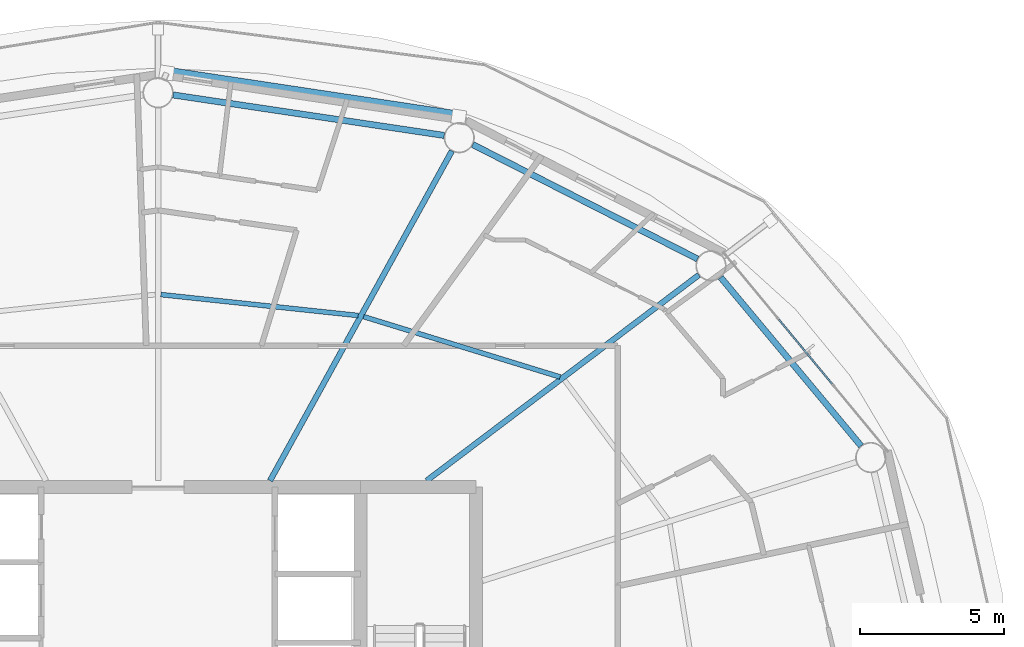
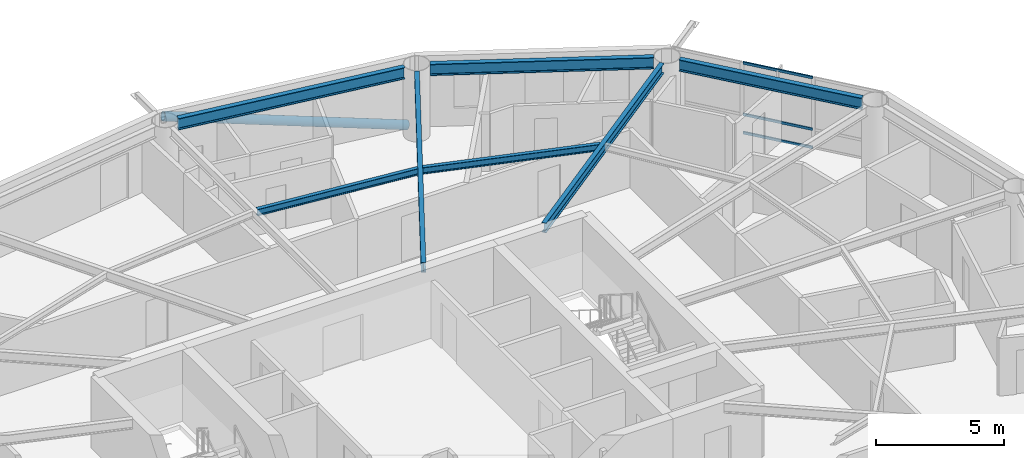
# One storey, part 14 of 30: 7 beams, 4 members, 1 element without a shape of its own.
"""IFC4 building model written with IfcOpenShell, lengths in metres."""

import ifcopenshell
import ifcopenshell.guid

model = None  # the IFC model being written
_history = None  # IfcOwnerHistory: only IFC2X3 demands one
_inside = {}  # id of a spatial element -> (the spatial element, [elements in it])
_under = {}  # id of a project, library or spatial element -> (it, [spatial elements below it])
_declared = {}  # id of a project -> (the project, [libraries it declares])
_typed = {}  # id of a type object -> (the type object, [elements of that type])
_made_of = {}  # id of a material, layer set ... -> (it, [elements and type objects made of it])


def new_model(schema):
    """Start an empty IFC model of exactly this schema.

    Asked for "IFC4X3", IfcOpenShell would pick the latest addendum, in which some entities
    have other attributes; the version numbers below select the first issue.
    IFC2X3 requires an IfcOwnerHistory on every rooted entity: one is made here for all.
    """
    global model, _history
    if schema == "IFC4X3":
        model = ifcopenshell.file(schema_version=(4, 3, 0, 0))
    else:
        model = ifcopenshell.file(schema=schema)
    _inside.clear()
    _under.clear()
    _declared.clear()
    _typed.clear()
    _made_of.clear()
    _history = None
    if model.schema == "IFC2X3":
        org = make("IfcOrganization", Name="unknown")
        user = make(
            "IfcPersonAndOrganization",
            ThePerson=make("IfcPerson", FamilyName="unknown"),
            TheOrganization=org,
        )
        app = make(
            "IfcApplication",
            ApplicationDeveloper=org,
            Version="unknown",
            ApplicationFullName="unknown",
            ApplicationIdentifier="unknown",
        )
        _history = make(
            "IfcOwnerHistory",
            OwningUser=user,
            OwningApplication=app,
            ChangeAction="ADDED",
            CreationDate=0,
        )
    return model


def make(cls, **values):
    """One entity of the class cls with the attributes given. An attribute that is None is left unset."""
    return model.create_entity(
        cls, **{name: value for name, value in values.items() if value is not None}
    )


def rooted(cls, **values):
    """An entity with a GlobalId (a new one), such as an element, a storey or a relation."""
    return make(cls, GlobalId=ifcopenshell.guid.new(), OwnerHistory=_history, **values)


def si_unit(unit_type, name, prefix=None):
    """IfcSIUnit, for example si_unit("LENGTHUNIT", "METRE", prefix="MILLI")."""
    return make("IfcSIUnit", UnitType=unit_type, Prefix=prefix, Name=name)


def assignment(units):
    """IfcUnitAssignment: the units of a project."""
    return None if units is None else make("IfcUnitAssignment", Units=units)


def point(xyz):
    """IfcCartesianPoint."""
    return None if xyz is None else make("IfcCartesianPoint", Coordinates=xyz)


def direction(xyz):
    """IfcDirection."""
    return None if xyz is None else make("IfcDirection", DirectionRatios=xyz)


def frame(location, z_axis=None, x_axis=None):
    """IfcAxis2Placement3D, a coordinate frame: its origin and axes. An axis left out is left unset."""
    return make(
        "IfcAxis2Placement3D",
        Location=point(location),
        Axis=direction(z_axis),
        RefDirection=direction(x_axis),
    )


def frame_2d(location, x_axis=None):
    """IfcAxis2Placement2D, a coordinate frame in the plane: its origin and x axis."""
    return make(
        "IfcAxis2Placement2D", Location=point(location), RefDirection=direction(x_axis)
    )


def origin():
    """The frame at (0, 0, 0) with its axes left unset."""
    return frame((0.0, 0.0, 0.0))


def origin_2d():
    """The frame at (0, 0) in the plane with its x axis left unset."""
    return frame_2d((0.0, 0.0))


def place(relative_to, where):
    """IfcLocalPlacement: puts the frame where relative to a parent placement (None: the world)."""
    return make(
        "IfcLocalPlacement", PlacementRelTo=relative_to, RelativePlacement=where
    )


def context(
    kind, dimensions, precision=None, world=None, true_north=None, identifier=None
):
    """IfcGeometricRepresentationContext, for example the 3D "Model" context."""
    return make(
        "IfcGeometricRepresentationContext",
        ContextIdentifier=identifier,
        ContextType=kind,
        CoordinateSpaceDimension=dimensions,
        Precision=precision,
        WorldCoordinateSystem=world,
        TrueNorth=true_north,
    )


def subcontext(parent, identifier, kind, view, scale=None):
    """IfcGeometricRepresentationSubContext, for example "Body" below "Model"."""
    return make(
        "IfcGeometricRepresentationSubContext",
        ContextIdentifier=identifier,
        ContextType=kind,
        ParentContext=parent,
        TargetScale=scale,
        TargetView=view,
    )


def project(units=None, contexts=None):
    """IfcProject with its units and contexts."""
    return rooted(
        "IfcProject",
        Name="project",
        RepresentationContexts=contexts,
        UnitsInContext=assignment(units),
    )


def spatial(cls, under=None, at=None, **own):
    """A site, building, storey or space (cls), placed at a placement, below another one or the project."""
    s = rooted(cls, ObjectPlacement=at, **own)
    if under is not None:
        _under.setdefault(under.id(), (under, []))[1].append(s)
    return s


def profile(cls, at=None, kind="AREA", **sizes):
    """A parametric profile (cls). Its sizes go by their IFC names, for example OverallWidth=200.0."""
    return make(cls, ProfileType=kind, Position=at, **sizes)


def hollow_rectangle(**sizes):
    """IfcRectangleHollowProfileDef."""
    return profile("IfcRectangleHollowProfileDef", **sizes)


def hollow_circle(**sizes):
    """IfcCircleHollowProfileDef."""
    return profile("IfcCircleHollowProfileDef", **sizes)


def i_section(**sizes):
    """IfcIShapeProfileDef."""
    return profile("IfcIShapeProfileDef", **sizes)


def extrude(swept, where, along, depth):
    """IfcExtrudedAreaSolid: the profile swept, set in the frame where, extruded along a direction by depth."""
    return make(
        "IfcExtrudedAreaSolid",
        SweptArea=swept,
        Position=where,
        ExtrudedDirection=direction(along),
        Depth=depth,
    )


def shape(context_of_items, identifier, shape_type, items):
    """IfcShapeRepresentation: the items that make up one representation, for example the "Body"."""
    return make(
        "IfcShapeRepresentation",
        ContextOfItems=context_of_items,
        RepresentationIdentifier=identifier,
        RepresentationType=shape_type,
        Items=items,
    )


def material(Name=None, Category=None):
    """IfcMaterial."""
    return make("IfcMaterial", Name=Name, Category=Category)


def layer(
    of_material, thickness, ventilated=None, Name=None, Category=None, Priority=None
):
    """IfcMaterialLayer: one layer of a wall or slab, of a material (None: an air gap)."""
    return make(
        "IfcMaterialLayer",
        Material=of_material,
        LayerThickness=thickness,
        IsVentilated=ventilated,
        Name=Name,
        Category=Category,
        Priority=Priority,
    )


def layer_set(layers, Name=None):
    """IfcMaterialLayerSet."""
    return make("IfcMaterialLayerSet", MaterialLayers=layers, LayerSetName=Name)


def material_profile(
    of_material, cross_section, Name=None, Category=None, Priority=None
):
    """IfcMaterialProfile: a cross section and its material."""
    return make(
        "IfcMaterialProfile",
        Name=Name,
        Material=of_material,
        Profile=cross_section,
        Priority=Priority,
        Category=Category,
    )


def profile_set(profiles, Name=None, composite=None):
    """IfcMaterialProfileSet."""
    return make(
        "IfcMaterialProfileSet",
        Name=Name,
        MaterialProfiles=profiles,
        CompositeProfile=composite,
    )


def made_of(thing, what):
    """Note that an element or type object is made of a material, layer set ...; save() writes the relation."""
    if what is not None:
        _made_of.setdefault(what.id(), (what, []))[1].append(thing)
    return thing


def type_object(cls, material=None, **own):
    """A type object (cls), such as IfcWallType, which elements share."""
    return made_of(rooted(cls, **own), material)


def element(
    cls,
    number,
    at=None,
    inside=None,
    cuts=None,
    type_object=None,
    material=None,
    context=None,
    identifier="Body",
    shape_type=None,
    held_by="IfcProductDefinitionShape",
    body=None,
    shapes=None,
    **own,
):
    """One element of the class cls, such as IfcWall. Its Tag is "e" and its number.

    at: its placement. inside: the storey or other place that contains it. cuts: it is an
    opening in that element (IfcRelVoidsElement). A single representation is given by context,
    identifier, shape_type and body (its items); several are given by shapes. held_by: the class
    of the entity that holds the representations. save() writes the other relations.
    """
    e = rooted(cls, Tag="e%d" % number, ObjectPlacement=at, **own)
    if body is not None:
        shapes = [shape(context, identifier, shape_type, body)]
    if shapes is not None:
        e.Representation = make(held_by, Representations=shapes)
    if inside is not None:
        _inside.setdefault(inside.id(), (inside, []))[1].append(e)
    if cuts is not None:
        rooted(
            "IfcRelVoidsElement", RelatingBuildingElement=cuts, RelatedOpeningElement=e
        )
    if type_object is not None:
        _typed.setdefault(type_object.id(), (type_object, []))[1].append(e)
    return made_of(e, material)


def aggregate(whole, parts):
    """IfcRelAggregates: a whole, such as a stair, and the parts it consists of."""
    return rooted("IfcRelAggregates", RelatingObject=whole, RelatedObjects=parts)


def save(model, path):
    """Write the relations noted so far, then the file.

    IfcRelAggregates (storeys below a building ...), IfcRelContainedInSpatialStructure (elements
    in a storey), IfcRelDefinesByType, IfcRelAssociatesMaterial and IfcRelDeclares: one each for
    every whole, place, type object, material and project.
    """
    for whole, parts in _under.values():
        aggregate(whole, parts)
    for where, things in _inside.values():
        rooted(
            "IfcRelContainedInSpatialStructure",
            RelatedElements=things,
            RelatingStructure=where,
        )
    for kind, things in _typed.values():
        rooted("IfcRelDefinesByType", RelatedObjects=things, RelatingType=kind)
    for what, things in _made_of.values():
        rooted("IfcRelAssociatesMaterial", RelatedObjects=things, RelatingMaterial=what)
    for by, libraries in _declared.values():
        rooted("IfcRelDeclares", RelatingContext=by, RelatedDefinitions=libraries)
    model.write(path)


model = new_model("IFC4")

# Units and contexts
model_context = context("Model", 3, precision=1e-05, world=origin(), true_north=direction((0.0, 1.0)))
body_context = subcontext(model_context, "Body", "Model", "MODEL_VIEW")
ifc_project = project(units=[si_unit("LENGTHUNIT", "METRE"), si_unit("AREAUNIT", "SQUARE_METRE"), si_unit("VOLUMEUNIT", "CUBIC_METRE"), si_unit("PLANEANGLEUNIT", "RADIAN"), si_unit("MASSUNIT", "GRAM", prefix="KILO")], contexts=[model_context])

# Site, building, storey
site_placement = place(None, origin())
site = spatial("IfcSite", under=ifc_project, at=site_placement, CompositionType="ELEMENT")
building_placement = place(site_placement, origin())
building = spatial("IfcBuilding", under=site, at=building_placement, Name="Sarneth Arch Tower", CompositionType="ELEMENT")
storey_placement = place(building_placement, frame((0.0, 0.0, 161.39990234375)))
storey = spatial("IfcBuildingStorey", under=building, at=storey_placement, Name="L40", CompositionType="ELEMENT", Elevation=161.39990234375)

# Beams
ifc_material_1 = material(Name="Steel S355", Category="steel")
ifc_material_profile_1 = material_profile(ifc_material_1, i_section(OverallWidth=0.1669921875, OverallDepth=0.31689453125, WebThickness=0.007568359375, FlangeThickness=0.01318359375, FilletRadius=0.012939453125, at=origin_2d()), Name="W310x52")
ifc_profile_set_1 = profile_set([ifc_material_profile_1], Name="Steel S355")
beam_type_1 = type_object("IfcBeamType", Name="BM-JOIST-310B", PredefinedType="JOIST", material=ifc_profile_set_1)
beam_1_placement = place(storey_placement, frame((61.912841796875, 52.61279296875, 3.2216796875), z_axis=(-0.955929549608, 0.293596144707, 0.0), x_axis=(-0.293596144707, -0.955929549608, 0.0)))
element("IfcBeam", 1, at=beam_1_placement, inside=storey, type_object=beam_type_1, Name="L40 Secondary floor joist 03", PredefinedType="JOIST", context=body_context, shape_type="SweptSolid", body=[
    extrude(i_section(OverallWidth=0.1669921875, OverallDepth=0.31689453125, WebThickness=0.007568359375, FlangeThickness=0.01318359375, FilletRadius=0.012939453125, at=origin_2d()), origin(), (0.0, 0.0, 1.0), 7.1123046875),
])
beam_2_placement = place(storey_placement, frame((54.92578125, 54.739501953125, 3.2216796875), z_axis=(-0.994407831942, 0.105608066799, 0.0), x_axis=(-0.105608066799, -0.994407831942, 0.0)))
element("IfcBeam", 2, at=beam_2_placement, inside=storey, type_object=beam_type_1, Name="L40 Secondary floor joist 04", PredefinedType="JOIST", context=body_context, shape_type="SweptSolid", body=[
    extrude(i_section(OverallWidth=0.1669921875, OverallDepth=0.31689453125, WebThickness=0.007568359375, FlangeThickness=0.01318359375, FilletRadius=0.012939453125, at=origin_2d()), origin(), (0.0, 0.0, 1.0), 6.8681640625),
])
ifc_material_2 = material(Name="Steel S355", Category="steel")
ifc_material_profile_2 = material_profile(ifc_material_2, i_section(OverallWidth=0.193115234375, OverallDepth=0.466064453125, WebThickness=0.011474609375, FlangeThickness=0.01904296875, FilletRadius=0.01806640625, at=origin_2d()), Name="W460x97")
ifc_profile_set_2 = profile_set([ifc_material_profile_2], Name="Steel S355")
beam_type_2 = type_object("IfcBeamType", Name="BM-RAD-460C", PredefinedType="BEAM", material=ifc_profile_set_2)
beam_3_placement = place(storey_placement, frame((57.29541015625, 49.02490234375, 3.147216796875), z_axis=(0.797786205076, 0.602940437349, 0.0), x_axis=(-0.602940437349, 0.797786205076, 0.0)))
element("IfcBeam", 3, at=beam_3_placement, inside=storey, type_object=beam_type_2, Name="L40 Radial floor girder 03", PredefinedType="BEAM", context=body_context, shape_type="SweptSolid", body=[
    extrude(i_section(OverallWidth=0.193115234375, OverallDepth=0.466064453125, WebThickness=0.011474609375, FlangeThickness=0.01904296875, FilletRadius=0.01806640625, at=origin_2d()), origin(), (0.0, 0.0, 1.0), 11.806884765625),
])
beam_4_placement = place(storey_placement, frame((51.875, 49.02490234375, 3.147216796875), z_axis=(0.483004525121, 0.87561785541, 0.0), x_axis=(-0.87561785541, 0.483004525121, 0.0)))
element("IfcBeam", 4, at=beam_4_placement, inside=storey, type_object=beam_type_2, Name="L40 Radial floor girder 04", PredefinedType="BEAM", context=body_context, shape_type="SweptSolid", body=[
    extrude(i_section(OverallWidth=0.193115234375, OverallDepth=0.466064453125, WebThickness=0.011474609375, FlangeThickness=0.01904296875, FilletRadius=0.01806640625, at=origin_2d()), origin(), (0.0, 0.0, 1.0), 13.029296875),
])
ifc_material_3 = material(Name="Steel S355", Category="steel")
ifc_material_profile_3 = material_profile(ifc_material_3, i_section(OverallWidth=0.214111328125, OverallDepth=0.549072265625, WebThickness=0.0146484375, FlangeThickness=0.023681640625, FilletRadius=0.01806640625, at=origin_2d()), Name="W530x138")
ifc_profile_set_3 = profile_set([ifc_material_profile_3], Name="Steel S355")
beam_type_3 = type_object("IfcBeamType", Name="BM-RAD-530A", PredefinedType="BEAM", material=ifc_profile_set_3)
beam_5_placement = place(storey_placement, frame((72.326171875, 50.229248046875, 3.105712890625), z_axis=(-0.640171737024, 0.768231831621, 0.0), x_axis=(-0.768231831621, -0.640171737024, 0.0)))
element("IfcBeam", 5, at=beam_5_placement, inside=storey, type_object=beam_type_3, Name="L40 Perimeter spandrel beam 02", PredefinedType="BEAM", context=body_context, shape_type="SweptSolid", body=[
    extrude(i_section(OverallWidth=0.214111328125, OverallDepth=0.549072265625, WebThickness=0.0146484375, FlangeThickness=0.023681640625, FilletRadius=0.01806640625, at=origin_2d()), origin(), (0.0, 0.0, 1.0), 7.585693359375),
])
beam_6_placement = place(storey_placement, frame((66.665771484375, 56.698486328125, 3.105712890625), z_axis=(-0.891254220899, 0.453504039374, 0.0), x_axis=(-0.453504039374, -0.891254220899, 0.0)))
element("IfcBeam", 6, at=beam_6_placement, inside=storey, type_object=beam_type_3, Name="L40 Perimeter spandrel beam 03", PredefinedType="BEAM", context=body_context, shape_type="SweptSolid", body=[
    extrude(i_section(OverallWidth=0.214111328125, OverallDepth=0.549072265625, WebThickness=0.0146484375, FlangeThickness=0.023681640625, FilletRadius=0.01806640625, at=origin_2d()), origin(), (0.0, 0.0, 1.0), 8.724853515625),
])
beam_7_placement = place(storey_placement, frame((57.902587890625, 60.970947265625, 3.105712890625), z_axis=(-0.989027145133, 0.14773390332, 0.0), x_axis=(-0.14773390332, -0.989027145133, 0.0)))
element("IfcBeam", 7, at=beam_7_placement, inside=storey, type_object=beam_type_3, Name="L40 Perimeter spandrel beam 04", PredefinedType="BEAM", context=body_context, shape_type="SweptSolid", body=[
    extrude(i_section(OverallWidth=0.214111328125, OverallDepth=0.549072265625, WebThickness=0.0146484375, FlangeThickness=0.023681640625, FilletRadius=0.01806640625, at=origin_2d()), origin(), (0.0, 0.0, 1.0), 9.4873046875),
])

# Curtain wall, members
ifc_material_4 = material(Name="Anodised aluminium Type AA25 and solar-control low-e laminated IGU", Category="aluminium")
ifc_layer = layer(ifc_material_4, 0.169921875)
ifc_layer_set = layer_set([ifc_layer], Name="Anodised aluminium Type AA25 and solar-control low-e laminated IGU")
curtain_wall_type = type_object("IfcCurtainWallType", Name="CW-RES-MID", PredefinedType="NOTDEFINED", material=ifc_layer_set)
curtain_wall_placement = place(storey_placement, origin())
curtain_wall = element("IfcCurtainWall", 8, at=curtain_wall_placement, inside=storey, type_object=curtain_wall_type, Name="L40 Unitised curtain wall facet 02", PredefinedType="NOTDEFINED")
ifc_material_5 = material(Name="Anodised Aluminium 6063-T6", Category="aluminium")
ifc_material_profile_4 = material_profile(ifc_material_5, hollow_rectangle(XDim=0.06005859375, YDim=0.1201171875, WallThickness=0.00390625, at=origin_2d()), Name="AL-TRAN-120x60x4")
ifc_profile_set_4 = profile_set([ifc_material_profile_4], Name="Anodised Aluminium 6063-T6")
member_type_1 = type_object("IfcMemberType", Name="CW-TRANSOM", PredefinedType="USERDEFINED", material=ifc_profile_set_4)
member_1_placement = place(storey_placement, frame((71.327880859375, 52.36962890625, 0.030029296875), z_axis=(-0.637329777791, 0.770591171985, 0.0), x_axis=(-0.770591171985, -0.637329777791, 0.0)))
member_1 = element("IfcMember", 9, at=member_1_placement, type_object=member_type_1, Name="CW-SYS-5 transom 2.1", ObjectType="TRANSOM", PredefinedType="USERDEFINED", context=body_context, shape_type="SweptSolid", body=[
    extrude(hollow_rectangle(XDim=0.06005859375, YDim=0.1201171875, WallThickness=0.00390625, at=origin_2d()), origin(), (0.0, 0.0, 1.0), 2.898193359375),
])
member_2_placement = place(storey_placement, frame((71.327880859375, 52.36962890625, 0.900146484375), z_axis=(-0.637329777791, 0.770591171985, 0.0), x_axis=(-0.770591171985, -0.637329777791, 0.0)))
member_2 = element("IfcMember", 10, at=member_2_placement, type_object=member_type_1, Name="CW-SYS-5 transom 2.2", ObjectType="TRANSOM", PredefinedType="USERDEFINED", context=body_context, shape_type="SweptSolid", body=[
    extrude(hollow_rectangle(XDim=0.06005859375, YDim=0.1201171875, WallThickness=0.00390625, at=origin_2d()), origin(), (0.0, 0.0, 1.0), 2.898193359375),
])
member_3_placement = place(storey_placement, frame((71.327880859375, 52.36962890625, 3.35009765625), z_axis=(-0.637329777791, 0.770591171985, 0.0), x_axis=(-0.770591171985, -0.637329777791, 0.0)))
member_3 = element("IfcMember", 11, at=member_3_placement, type_object=member_type_1, Name="CW-SYS-5 transom 2.3", ObjectType="TRANSOM", PredefinedType="USERDEFINED", context=body_context, shape_type="SweptSolid", body=[
    extrude(hollow_rectangle(XDim=0.06005859375, YDim=0.1201171875, WallThickness=0.00390625, at=origin_2d()), origin(), (0.0, 0.0, 1.0), 2.898193359375),
])
aggregate(curtain_wall, [member_1, member_2, member_3])

# Member
ifc_material_6 = material(Name="Steel S355", Category="steel")
ifc_material_profile_5 = material_profile(ifc_material_6, hollow_circle(Radius=0.202880859375, WallThickness=0.01611328125, at=origin_2d()), Name="CHS406x16")
ifc_profile_set_5 = profile_set([ifc_material_profile_5], Name="Steel S355")
member_type_2 = type_object("IfcMemberType", Name="MEM-DIAG-BR2", PredefinedType="BRACE", material=ifc_profile_set_5)
member_4_placement = place(storey_placement, frame((58.404296875, 61.612548828125, 0.02001953125), z_axis=(-0.948046741033, 0.142821852705, 0.284269757812), x_axis=(-0.148967610144, -0.988842075929, 0.0)))
element("IfcMember", 12, at=member_4_placement, inside=storey, type_object=member_type_2, Name="L40 Perimeter frame diagonal 04", PredefinedType="BRACE", context=body_context, shape_type="SweptSolid", body=[
    extrude(hollow_circle(Radius=0.202880859375, WallThickness=0.01611328125, at=origin_2d()), origin(), (0.0, 0.0, 1.0), 10.66162109375),
])

save(model, "model.ifc")
